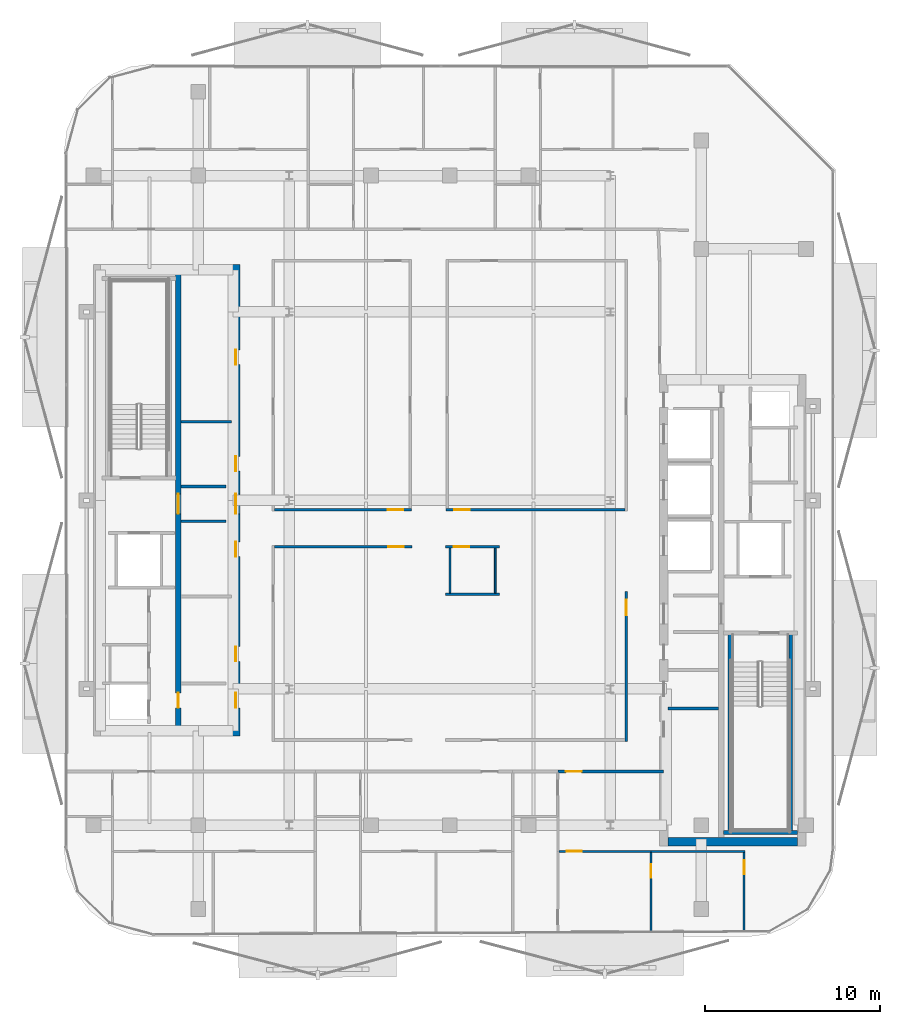
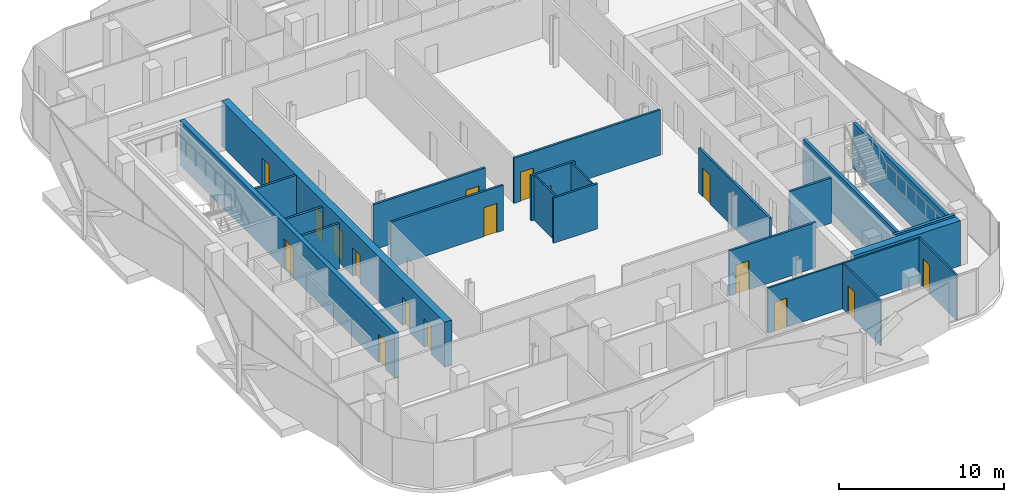
# One storey, part 4 of 16: 23 walls, 17 doors, 17 openings.
"""IFC4 building model written with IfcOpenShell, lengths in metres."""

from ifc_helpers import new_model, si_unit, direction, frame, frame_2d, origin, place, context, subcontext, project, spatial, rectangle, extrude, material, layer, layer_set, type_object, element, fill, save


model = new_model("IFC4")

# Units and contexts
model_context = context("Model", 3, precision=1e-05, world=origin(), true_north=direction((0.0, 1.0)))
body_context = subcontext(model_context, "Body", "Model", "MODEL_VIEW")
ifc_project = project(units=[si_unit("LENGTHUNIT", "METRE"), si_unit("AREAUNIT", "SQUARE_METRE"), si_unit("VOLUMEUNIT", "CUBIC_METRE"), si_unit("PLANEANGLEUNIT", "RADIAN"), si_unit("MASSUNIT", "GRAM", prefix="KILO")], contexts=[model_context])

# Site, building, storey
site_placement = place(None, origin())
site = spatial("IfcSite", under=ifc_project, at=site_placement, CompositionType="ELEMENT")
building_placement = place(site_placement, origin())
building = spatial("IfcBuilding", under=site, at=building_placement, Name="Khairoan Windgate Tower", CompositionType="ELEMENT")
storey_placement = place(building_placement, frame((0.0, 0.0, 247.60009765625)))
storey = spatial("IfcBuildingStorey", under=building, at=storey_placement, Name="L58", CompositionType="ELEMENT", Elevation=247.60009765625)

# Walls
ifc_material_1 = material(Name="Moisture-Resistant Gypsum Partition", Category="gypsum")
ifc_layer_1 = layer(ifc_material_1, 0.10009765625, Name="Moisture-Resistant Gypsum Partition")
ifc_layer_set_1 = layer_set([ifc_layer_1], Name="Moisture-Resistant Gypsum Partition")
wall_type_1 = type_object("IfcWallType", Name="Bathroom Wet-Area Partition Wall", PredefinedType="PARTITIONING", material=ifc_layer_set_1)
for number, where, z_axis, x_axis, name in (
    (1, (2.60009765625, -2.739990234375, 0.0), (0.0, 0.0, 1.0), (0.0, -1.0, 0.0), "L58 Wet Room Side Wall 102"),
    (2, (0.010009765625, -5.31005859375, 0.0), (0.0, 0.0, 1.0), (0.0, 1.0, 0.0), "L58 Wet Room Side Wall 103"),
):
    element("IfcWall", number, at=place(storey_placement, frame(where, z_axis=z_axis, x_axis=x_axis)), inside=storey, type_object=wall_type_1, Name=name, PredefinedType="PARTITIONING", context=body_context, shape_type="SweptSolid", body=[
        extrude(rectangle(XDim=2.570068359375, YDim=0.10009765625, at=frame_2d((1.28515625, 0.0))), origin(), (0.0, 0.0, 1.0), 3.33984375),
    ])
ifc_material_2 = material(Name="Concrete C40/50", Category="concrete")
ifc_layer_2 = layer(ifc_material_2, 0.159912109375, Name="Concrete C40/50")
ifc_layer_set_2 = layer_set([ifc_layer_2], Name="Concrete C40/50")
wall_type_2 = type_object("IfcWallType", Name="Core and Hoistway Enclosure Wall", PredefinedType="STANDARD", material=ifc_layer_set_2)
for number, where, z_axis, x_axis, name in (
    (3, (-15.39990234375, 0.800048828125, 0.0), (0.0, 0.0, 1.0), (1.0, 0.0, 0.0), "L58 Core Shaft Wall SW-WV1-L58"),
    (4, (-15.39990234375, -1.199951171875, 0.0), (0.0, 0.0, 1.0), (1.0, 0.0, 0.0), "L58 Core Shaft Wall SW-WV2-L58"),
):
    element("IfcWall", number, at=place(storey_placement, frame(where, z_axis=z_axis, x_axis=x_axis)), inside=storey, type_object=wall_type_2, Name=name, PredefinedType="STANDARD", context=body_context, shape_type="SweptSolid", body=[
        extrude(rectangle(XDim=2.599853515625, YDim=0.159912109375, at=frame_2d((1.2998046875, 0.0))), origin(), (0.0, 0.0, 1.0), 3.33984375),
    ])
ifc_material_3 = material(Name="Acoustic Fire-Rated Gypsum Partition", Category="gypsum")
ifc_layer_3 = layer(ifc_material_3, 0.139892578125, Name="Acoustic Fire-Rated Gypsum Partition")
ifc_layer_set_3 = layer_set([ifc_layer_3], Name="Acoustic Fire-Rated Gypsum Partition")
wall_type_3 = type_object("IfcWallType", Name="Inter-Tenancy Compartment Wall", PredefinedType="PARTITIONING", material=ifc_layer_set_3)
wall_1_placement = place(storey_placement, frame((-0.22998046875, -5.3798828125, 0.0), z_axis=(0.0, 0.0, 1.0), x_axis=(1.0, 0.0, 0.0)))
element("IfcWall", 5, at=wall_1_placement, inside=storey, type_object=wall_type_3, Name="L58 Interior Partition 099", PredefinedType="PARTITIONING", context=body_context, shape_type="SweptSolid", body=[
    extrude(rectangle(XDim=3.070068359375, YDim=0.139892578125, at=frame_2d((1.53515625, 0.0))), origin(), (0.0, 0.0, 1.0), 3.33984375),
])

# Wall, opening, door
ifc_material_4 = material(Name="Gypsum Stud Partition", Category="gypsum")
ifc_layer_4 = layer(ifc_material_4, 0.1201171875, Name="Gypsum Stud Partition")
ifc_layer_set_4 = layer_set([ifc_layer_4], Name="Gypsum Stud Partition")
wall_type_4 = type_object("IfcWallType", Name="Internal Room Partition Wall", PredefinedType="PARTITIONING", material=ifc_layer_set_4)
wall_2_placement = place(storey_placement, frame((6.25, -20.10009765625, 0.0), z_axis=(0.0, 0.0, 1.0), x_axis=(1.0, 0.0, 0.0)))
wall_2 = element("IfcWall", 6, at=wall_2_placement, inside=storey, type_object=wall_type_4, Name="L58 Interior Partition 095", PredefinedType="PARTITIONING", context=body_context, shape_type="SweptSolid", body=[
    extrude(rectangle(XDim=5.27490234375, YDim=0.1201171875, at=frame_2d((2.637451171875, 0.0))), origin(), (0.0, 0.0, 1.0), 3.33984375),
])
opening_1_placement = place(wall_2_placement, frame((0.4599609375, 0.0, 0.0)))
opening_1 = element("IfcOpeningElement", 7, at=opening_1_placement, cuts=wall_2, Name="Opening ID-RM", PredefinedType="OPENING", context=body_context, shape_type="SweptSolid", body=[
    extrude(rectangle(XDim=0.860107421875, YDim=2.14990234375, at=frame_2d((0.43017578125, 1.074951171875))), frame((0.0, 0.070068359375, 0.0), z_axis=(0.0, -1.0, 0.0), x_axis=(1.0, 0.0, 0.0)), (0.0, 0.0, 1.0), 0.14013671875),
])
ifc_material_5 = material(Name="Teak Veneer Timber Leaf", Category="wood")
door_type_1 = type_object("IfcDoorType", Name="Internal Bedroom and Office Door ID-RM 860x2150", OperationType="NOTDEFINED", PredefinedType="DOOR", material=ifc_material_5)
door_1_placement = place(opening_1_placement, origin())
door_1 = element("IfcDoor", 8, at=door_1_placement, inside=storey, type_object=door_type_1, Name="L58 L58-62-L58-64 Door", OperationType="SINGLE_SWING_RIGHT", OverallHeight=2.14990234375, OverallWidth=0.860107421875, PredefinedType="DOOR", context=body_context, shape_type="SweptSolid", body=[
    extrude(rectangle(XDim=0.860107421875, YDim=2.14990234375, at=frame_2d((0.43017578125, 1.074951171875))), frame((0.0, 0.02490234375, 0.0), z_axis=(0.0, -1.0, 0.0), x_axis=(1.0, 0.0, 0.0)), (0.0, 0.0, 1.0), 0.050048828125),
])
fill(opening_1, door_1)

# Wall
wall_3_placement = place(storey_placement, frame((11.52490234375, -20.10009765625, 0.0), z_axis=(0.0, 0.0, 1.0), x_axis=(1.0, 0.0, 0.0)))
element("IfcWall", 9, at=wall_3_placement, inside=storey, type_object=wall_type_4, Name="L58 Interior Partition 096", PredefinedType="PARTITIONING", context=body_context, shape_type="SweptSolid", body=[
    extrude(rectangle(XDim=5.39501953125, YDim=0.1201171875, at=frame_2d((2.697509765625, 0.0))), origin(), (0.0, 0.0, 1.0), 3.33984375),
])

# Wall, opening, door
wall_4_placement = place(storey_placement, frame((16.860107421875, -24.691650390625, 0.0), z_axis=(0.0, 0.0, 1.0), x_axis=(0.0, 1.0, 0.0)))
wall_4 = element("IfcWall", 10, at=wall_4_placement, inside=storey, type_object=wall_type_4, Name="L58 Interior Partition 097", PredefinedType="PARTITIONING", context=body_context, shape_type="SweptSolid", body=[
    extrude(rectangle(XDim=4.53173828125, YDim=0.1201171875, at=frame_2d((2.265869140625, 0.0))), origin(), (0.0, 0.0, 1.0), 3.33984375),
])
opening_2_placement = place(wall_4_placement, frame((3.271728515625, 0.0, 0.0)))
opening_2 = element("IfcOpeningElement", 11, at=opening_2_placement, cuts=wall_4, Name="Opening ID-BTH", PredefinedType="OPENING", context=body_context, shape_type="SweptSolid", body=[
    extrude(rectangle(XDim=0.800048828125, YDim=2.10009765625, at=frame_2d((0.39990234375, 1.050048828125))), frame((0.0, 0.070068359375, 0.0), z_axis=(0.0, -1.0, 0.0), x_axis=(1.0, 0.0, 0.0)), (0.0, 0.0, 1.0), 0.14013671875),
])
ifc_material_6 = material(Name="Teak Veneer Timber Leaf", Category="wood")
door_type_2 = type_object("IfcDoorType", Name="Internal Bathroom Door ID-BTH 800x2100", OperationType="NOTDEFINED", PredefinedType="DOOR", material=ifc_material_6)
door_2_placement = place(opening_2_placement, origin())
door_2 = element("IfcDoor", 12, at=door_2_placement, inside=storey, type_object=door_type_2, Name="L58 L58-63-L58-65 Door", OperationType="SINGLE_SWING_LEFT", OverallHeight=2.10009765625, OverallWidth=0.800048828125, PredefinedType="DOOR", context=body_context, shape_type="SweptSolid", body=[
    extrude(rectangle(XDim=0.800048828125, YDim=2.10009765625, at=frame_2d((0.39990234375, 1.050048828125))), frame((0.0, 0.02490234375, 0.0), z_axis=(0.0, -1.0, 0.0), x_axis=(1.0, 0.0, 0.0)), (0.0, 0.0, 1.0), 0.050048828125),
])
fill(opening_2, door_2)

wall_5_placement = place(storey_placement, frame((11.52490234375, -24.71728515625, 0.0), z_axis=(0.0, 0.0, 1.0), x_axis=(0.0, 1.0, 0.0)))
wall_5 = element("IfcWall", 13, at=wall_5_placement, inside=storey, type_object=wall_type_4, Name="L58 Interior Partition 098", PredefinedType="PARTITIONING", context=body_context, shape_type="SweptSolid", body=[
    extrude(rectangle(XDim=4.557373046875, YDim=0.1201171875, at=frame_2d((2.27880859375, 0.0))), origin(), (0.0, 0.0, 1.0), 3.33984375),
])
opening_3_placement = place(wall_5_placement, frame((3.0947265625, 0.0, 0.0)))
opening_3 = element("IfcOpeningElement", 14, at=opening_3_placement, cuts=wall_5, Name="Opening ID-BTH", PredefinedType="OPENING", context=body_context, shape_type="SweptSolid", body=[
    extrude(rectangle(XDim=0.800048828125, YDim=2.10009765625, at=frame_2d((0.39990234375, 1.050048828125))), frame((0.0, 0.070068359375, 0.0), z_axis=(0.0, -1.0, 0.0), x_axis=(1.0, 0.0, 0.0)), (0.0, 0.0, 1.0), 0.14013671875),
])
door_3_placement = place(opening_3_placement, origin())
door_3 = element("IfcDoor", 15, at=door_3_placement, inside=storey, type_object=door_type_2, Name="L58 L58-64-L58-65 Door", OperationType="SINGLE_SWING_RIGHT", OverallHeight=2.10009765625, OverallWidth=0.800048828125, PredefinedType="DOOR", context=body_context, shape_type="SweptSolid", body=[
    extrude(rectangle(XDim=0.800048828125, YDim=2.10009765625, at=frame_2d((0.39990234375, 1.050048828125))), frame((0.0, 0.02490234375, 0.0), z_axis=(0.0, -1.0, 0.0), x_axis=(1.0, 0.0, 0.0)), (0.0, 0.0, 1.0), 0.050048828125),
])
fill(opening_3, door_3)

# Walls
ifc_material_7 = material(Name="Concrete C40/50", Category="concrete")
ifc_layer_5 = layer(ifc_material_7, 0.159912109375, Name="Concrete C40/50")
ifc_layer_set_5 = layer_set([ifc_layer_5], Name="Concrete C40/50")
wall_type_5 = type_object("IfcWallType", Name="Plant and Refuge Compartment Wall", PredefinedType="PARTITIONING", material=ifc_layer_set_5)
for number, where, z_axis, x_axis, name in (
    (16, (-15.39990234375, 4.5, 0.0), (0.0, 0.0, 1.0), (1.0, 0.0, 0.0), "L58 Interior Partition 006"),
    (17, (12.5, -11.919921875, 0.0), (0.0, 0.0, 1.0), (1.0, 0.0, 0.0), "L58 Interior Partition 013"),
):
    element("IfcWall", number, at=place(storey_placement, frame(where, z_axis=z_axis, x_axis=x_axis)), inside=storey, type_object=wall_type_5, Name=name, PredefinedType="PARTITIONING", context=body_context, shape_type="SweptSolid", body=[
        extrude(rectangle(XDim=2.89990234375, YDim=0.159912109375, at=frame_2d((1.449951171875, 0.0))), origin(), (0.0, 0.0, 1.0), 3.33984375),
    ])

# Wall, opening, door
ifc_material_8 = material(Name="Acoustic Fire-Rated Gypsum Partition", Category="gypsum")
ifc_layer_6 = layer(ifc_material_8, 0.14990234375, Name="Acoustic Fire-Rated Gypsum Partition")
ifc_layer_set_6 = layer_set([ifc_layer_6], Name="Acoustic Fire-Rated Gypsum Partition")
wall_type_6 = type_object("IfcWallType", Name="Rated Corridor Partition Wall", PredefinedType="PARTITIONING", material=ifc_layer_set_6)
wall_6_placement = place(storey_placement, frame((10.10009765625, -13.794921875, 0.0), z_axis=(0.0, 0.0, 1.0), x_axis=(0.0, 1.0, 0.0)))
wall_6 = element("IfcWall", 18, at=wall_6_placement, inside=storey, type_object=wall_type_6, Name="L58 Interior Partition 019", PredefinedType="PARTITIONING", context=body_context, shape_type="SweptSolid", body=[
    extrude(rectangle(XDim=8.574951171875, YDim=0.14990234375, at=frame_2d((4.28759765625, 0.0))), origin(), (0.0, 0.0, 1.0), 3.33984375),
])
opening_4_placement = place(wall_6_placement, frame((7.215087890625, 0.0, 0.0)))
opening_4 = element("IfcOpeningElement", 19, at=opening_4_placement, cuts=wall_6, Name="Opening FD-ENT", PredefinedType="OPENING", context=body_context, shape_type="SweptSolid", body=[
    extrude(rectangle(XDim=0.89990234375, YDim=2.14990234375, at=frame_2d((0.449951171875, 1.074951171875))), frame((0.0, 0.0849609375, 0.0), z_axis=(0.0, -1.0, 0.0), x_axis=(1.0, 0.0, 0.0)), (0.0, 0.0, 1.0), 0.169921875),
])
ifc_material_9 = material(Name="Timber Fire-Rated Core", Category="wood")
door_type_3 = type_object("IfcDoorType", Name="Unit and Office Fire Entrance Door FD-ENT 900x2150", OperationType="NOTDEFINED", PredefinedType="DOOR", material=ifc_material_9)
door_4_placement = place(opening_4_placement, origin())
door_4 = element("IfcDoor", 20, at=door_4_placement, inside=storey, type_object=door_type_3, Name="L58 L58-30-L58-71 Door", OperationType="SINGLE_SWING_RIGHT", OverallHeight=2.14990234375, OverallWidth=0.89990234375, PredefinedType="DOOR", context=body_context, shape_type="SweptSolid", body=[
    extrude(rectangle(XDim=0.89990234375, YDim=2.14990234375, at=frame_2d((0.449951171875, 1.074951171875))), frame((0.0, 0.02490234375, 0.0), z_axis=(0.0, -1.0, 0.0), x_axis=(1.0, 0.0, 0.0)), (0.0, 0.0, 1.0), 0.050048828125),
])
fill(opening_4, door_4)

wall_7_placement = place(storey_placement, frame((-10.02490234375, -0.534912109375, 0.0), z_axis=(0.0, 0.0, 1.0), x_axis=(1.0, 0.0, 0.0)))
wall_7 = element("IfcWall", 21, at=wall_7_placement, inside=storey, type_object=wall_type_6, Name="L58 Interior Partition 020", PredefinedType="PARTITIONING", context=body_context, shape_type="SweptSolid", body=[
    extrude(rectangle(XDim=7.8349609375, YDim=0.14990234375, at=frame_2d((3.91748046875, 0.0))), origin(), (0.0, 0.0, 1.0), 3.33984375),
])
opening_5_placement = place(wall_7_placement, frame((6.47509765625, 0.0, 0.0)))
opening_5 = element("IfcOpeningElement", 22, at=opening_5_placement, cuts=wall_7, Name="Opening FD-ENT", PredefinedType="OPENING", context=body_context, shape_type="SweptSolid", body=[
    extrude(rectangle(XDim=0.89990234375, YDim=2.14990234375, at=frame_2d((0.449951171875, 1.074951171875))), frame((0.0, 0.0849609375, 0.0), z_axis=(0.0, -1.0, 0.0), x_axis=(1.0, 0.0, 0.0)), (0.0, 0.0, 1.0), 0.169921875),
])
door_5_placement = place(opening_5_placement, origin())
door_5 = element("IfcDoor", 23, at=door_5_placement, inside=storey, type_object=door_type_3, Name="L58 L58-31-L58-67 Door", OperationType="SINGLE_SWING_LEFT", OverallHeight=2.14990234375, OverallWidth=0.89990234375, PredefinedType="DOOR", context=body_context, shape_type="SweptSolid", body=[
    extrude(rectangle(XDim=0.89990234375, YDim=2.14990234375, at=frame_2d((0.449951171875, 1.074951171875))), frame((0.0, 0.02490234375, 0.0), z_axis=(0.0, -1.0, 0.0), x_axis=(1.0, 0.0, 0.0)), (0.0, 0.0, 1.0), 0.050048828125),
])
fill(opening_5, door_5)

wall_8_placement = place(storey_placement, frame((-10.02490234375, -2.6650390625, 0.0), z_axis=(0.0, 0.0, 1.0), x_axis=(1.0, 0.0, 0.0)))
wall_8 = element("IfcWall", 24, at=wall_8_placement, inside=storey, type_object=wall_type_6, Name="L58 Interior Partition 021", PredefinedType="PARTITIONING", context=body_context, shape_type="SweptSolid", body=[
    extrude(rectangle(XDim=7.85498046875, YDim=0.14990234375, at=frame_2d((3.927490234375, 0.0))), origin(), (0.0, 0.0, 1.0), 3.33984375),
])
opening_6_placement = place(wall_8_placement, frame((6.4951171875, 0.0, 0.0)))
opening_6 = element("IfcOpeningElement", 25, at=opening_6_placement, cuts=wall_8, Name="Opening FD-ENT", PredefinedType="OPENING", context=body_context, shape_type="SweptSolid", body=[
    extrude(rectangle(XDim=0.89990234375, YDim=2.14990234375, at=frame_2d((0.449951171875, 1.074951171875))), frame((0.0, 0.0849609375, 0.0), z_axis=(0.0, -1.0, 0.0), x_axis=(1.0, 0.0, 0.0)), (0.0, 0.0, 1.0), 0.169921875),
])
door_6_placement = place(opening_6_placement, origin())
door_6 = element("IfcDoor", 26, at=door_6_placement, inside=storey, type_object=door_type_3, Name="L58 L58-31-L58-68 Door", OperationType="SINGLE_SWING_RIGHT", OverallHeight=2.14990234375, OverallWidth=0.89990234375, PredefinedType="DOOR", context=body_context, shape_type="SweptSolid", body=[
    extrude(rectangle(XDim=0.89990234375, YDim=2.14990234375, at=frame_2d((0.449951171875, 1.074951171875))), frame((0.0, 0.02490234375, 0.0), z_axis=(0.0, -1.0, 0.0), x_axis=(1.0, 0.0, 0.0)), (0.0, 0.0, 1.0), 0.050048828125),
])
fill(opening_6, door_6)

wall_9_placement = place(storey_placement, frame((-0.2099609375, -0.534912109375, 0.0), z_axis=(0.0, 0.0, 1.0), x_axis=(1.0, 0.0, 0.0)))
wall_9 = element("IfcWall", 27, at=wall_9_placement, inside=storey, type_object=wall_type_6, Name="L58 Interior Partition 022", PredefinedType="PARTITIONING", context=body_context, shape_type="SweptSolid", body=[
    extrude(rectangle(XDim=10.23486328125, YDim=0.14990234375, at=frame_2d((5.117431640625, 0.0))), origin(), (0.0, 0.0, 1.0), 3.33984375),
])
opening_7_placement = place(wall_9_placement, frame((0.4599609375, 0.0, 0.0)))
opening_7 = element("IfcOpeningElement", 28, at=opening_7_placement, cuts=wall_9, Name="Opening FD-ENT", PredefinedType="OPENING", context=body_context, shape_type="SweptSolid", body=[
    extrude(rectangle(XDim=0.89990234375, YDim=2.14990234375, at=frame_2d((0.449951171875, 1.074951171875))), frame((0.0, 0.0849609375, 0.0), z_axis=(0.0, -1.0, 0.0), x_axis=(1.0, 0.0, 0.0)), (0.0, 0.0, 1.0), 0.169921875),
])
door_7_placement = place(opening_7_placement, origin())
door_7 = element("IfcDoor", 29, at=door_7_placement, inside=storey, type_object=door_type_3, Name="L58 L58-31-L58-69 Door", OperationType="SINGLE_SWING_LEFT", OverallHeight=2.14990234375, OverallWidth=0.89990234375, PredefinedType="DOOR", context=body_context, shape_type="SweptSolid", body=[
    extrude(rectangle(XDim=0.89990234375, YDim=2.14990234375, at=frame_2d((0.449951171875, 1.074951171875))), frame((0.0, 0.02490234375, 0.0), z_axis=(0.0, -1.0, 0.0), x_axis=(1.0, 0.0, 0.0)), (0.0, 0.0, 1.0), 0.050048828125),
])
fill(opening_7, door_7)

wall_10_placement = place(storey_placement, frame((-0.22998046875, -2.6650390625, 0.0), z_axis=(0.0, 0.0, 1.0), x_axis=(1.0, 0.0, 0.0)))
wall_10 = element("IfcWall", 30, at=wall_10_placement, inside=storey, type_object=wall_type_6, Name="L58 Interior Partition 023", PredefinedType="PARTITIONING", context=body_context, shape_type="SweptSolid", body=[
    extrude(rectangle(XDim=3.070068359375, YDim=0.14990234375, at=frame_2d((1.53515625, 0.0))), origin(), (0.0, 0.0, 1.0), 3.33984375),
])
opening_8_placement = place(wall_10_placement, frame((0.4599609375, 0.0, 0.0)))
opening_8 = element("IfcOpeningElement", 31, at=opening_8_placement, cuts=wall_10, Name="Opening FD-ENT", PredefinedType="OPENING", context=body_context, shape_type="SweptSolid", body=[
    extrude(rectangle(XDim=0.89990234375, YDim=2.14990234375, at=frame_2d((0.449951171875, 1.074951171875))), frame((0.0, 0.0849609375, 0.0), z_axis=(0.0, -1.0, 0.0), x_axis=(1.0, 0.0, 0.0)), (0.0, 0.0, 1.0), 0.169921875),
])
door_8_placement = place(opening_8_placement, origin())
door_8 = element("IfcDoor", 32, at=door_8_placement, inside=storey, type_object=door_type_3, Name="L58 L58-31-L58-70 Door", OperationType="SINGLE_SWING_RIGHT", OverallHeight=2.14990234375, OverallWidth=0.89990234375, PredefinedType="DOOR", context=body_context, shape_type="SweptSolid", body=[
    extrude(rectangle(XDim=0.89990234375, YDim=2.14990234375, at=frame_2d((0.449951171875, 1.074951171875))), frame((0.0, 0.02490234375, 0.0), z_axis=(0.0, -1.0, 0.0), x_axis=(1.0, 0.0, 0.0)), (0.0, 0.0, 1.0), 0.050048828125),
])
fill(opening_8, door_8)

wall_11_placement = place(storey_placement, frame((6.18994140625, -15.52490234375, 0.0), z_axis=(0.0, 0.0, 1.0), x_axis=(1.0, 0.0, 0.0)))
wall_11 = element("IfcWall", 33, at=wall_11_placement, inside=storey, type_object=wall_type_6, Name="L58 Interior Partition 040", PredefinedType="PARTITIONING", context=body_context, shape_type="SweptSolid", body=[
    extrude(rectangle(XDim=6.050048828125, YDim=0.14990234375, at=frame_2d((3.02490234375, 0.0))), origin(), (0.0, 0.0, 1.0), 3.33984375),
])
opening_9_placement = place(wall_11_placement, frame((0.4599609375, 0.0, 0.0)))
opening_9 = element("IfcOpeningElement", 34, at=opening_9_placement, cuts=wall_11, Name="Opening FD-ENT", PredefinedType="OPENING", context=body_context, shape_type="SweptSolid", body=[
    extrude(rectangle(XDim=0.89990234375, YDim=2.14990234375, at=frame_2d((0.449951171875, 1.074951171875))), frame((0.0, 0.0849609375, 0.0), z_axis=(0.0, -1.0, 0.0), x_axis=(1.0, 0.0, 0.0)), (0.0, 0.0, 1.0), 0.169921875),
])
door_9_placement = place(opening_9_placement, origin())
door_9 = element("IfcDoor", 35, at=door_9_placement, inside=storey, type_object=door_type_3, Name="L58 L58-34-L58-62 Door", OperationType="SINGLE_SWING_LEFT", OverallHeight=2.14990234375, OverallWidth=0.89990234375, PredefinedType="DOOR", context=body_context, shape_type="SweptSolid", body=[
    extrude(rectangle(XDim=0.89990234375, YDim=2.14990234375, at=frame_2d((0.449951171875, 1.074951171875))), frame((0.0, 0.02490234375, 0.0), z_axis=(0.0, -1.0, 0.0), x_axis=(1.0, 0.0, 0.0)), (0.0, 0.0, 1.0), 0.050048828125),
])
fill(opening_9, door_9)

# Wall
ifc_material_10 = material(Name="Concrete C50/60", Category="concrete")
ifc_layer_7 = layer(ifc_material_10, 0.5, Name="Concrete C50/60")
ifc_layer_set_7 = layer_set([ifc_layer_7], Name="Concrete C50/60")
wall_type_7 = type_object("IfcWallType", Name="Shear Wall CW-E3 500mm", PredefinedType="SHEAR", material=ifc_layer_set_7)
wall_12_placement = place(storey_placement, frame((12.5, -19.550048828125, 0.0), z_axis=(0.0, 0.0, 1.0), x_axis=(1.0, 0.0, 0.0)))
element("IfcWall", 36, at=wall_12_placement, inside=storey, type_object=wall_type_7, Name="E Core South Shear Wall L58", PredefinedType="SHEAR", context=body_context, shape_type="SweptSolid", body=[
    extrude(rectangle(XDim=7.39990234375, YDim=0.5, at=frame_2d((3.699951171875, 0.0))), origin(), (0.0, 0.0, 1.0), 3.33984375),
])

# Wall, openings, doors
ifc_material_11 = material(Name="Concrete C50/60", Category="concrete")
ifc_layer_8 = layer(ifc_material_11, 0.5, Name="Concrete C50/60")
ifc_layer_set_8 = layer_set([ifc_layer_8], Name="Concrete C50/60")
wall_type_8 = type_object("IfcWallType", Name="Shear Wall CW-W3 500mm", PredefinedType="SHEAR", material=ifc_layer_set_8)
wall_13_placement = place(storey_placement, frame((-12.25, -13.5, 0.0), z_axis=(0.0, 0.0, 1.0), x_axis=(0.0, 1.0, 0.0)))
wall_13 = element("IfcWall", 37, at=wall_13_placement, inside=storey, type_object=wall_type_8, Name="W Core East Shear Wall L58", PredefinedType="SHEAR", context=body_context, shape_type="SweptSolid", body=[
    extrude(rectangle(XDim=27.0, YDim=0.5, at=frame_2d((13.5, 0.0))), origin(), (0.0, 0.0, 1.0), 3.33984375),
])
opening_10_placement = place(wall_13_placement, frame((15.175048828125, 0.0, 0.0)))
opening_10 = element("IfcOpeningElement", 38, at=opening_10_placement, cuts=wall_13, Name="Opening FD-SRV", PredefinedType="OPENING", context=body_context, shape_type="SweptSolid", body=[
    extrude(rectangle(XDim=0.85009765625, YDim=2.10009765625, at=frame_2d((0.425048828125, 1.050048828125))), frame((0.0, 0.260009765625, 0.0), z_axis=(0.0, -1.0, 0.0), x_axis=(1.0, 0.0, 0.0)), (0.0, 0.0, 1.0), 0.52001953125),
])
opening_11_placement = place(wall_13_placement, frame((21.27490234375, 0.0, 0.0)))
opening_11 = element("IfcOpeningElement", 39, at=opening_11_placement, cuts=wall_13, Name="Opening FD-SRV", PredefinedType="OPENING", context=body_context, shape_type="SweptSolid", body=[
    extrude(rectangle(XDim=0.85009765625, YDim=2.10009765625, at=frame_2d((0.425048828125, 1.050048828125))), frame((0.0, 0.260009765625, 0.0), z_axis=(0.0, -1.0, 0.0), x_axis=(1.0, 0.0, 0.0)), (0.0, 0.0, 1.0), 0.52001953125),
])
opening_12_placement = place(wall_13_placement, frame((4.27490234375, 0.0, 0.0)))
opening_12 = element("IfcOpeningElement", 40, at=opening_12_placement, cuts=wall_13, Name="Opening FD-SRV", PredefinedType="OPENING", context=body_context, shape_type="SweptSolid", body=[
    extrude(rectangle(XDim=0.85009765625, YDim=2.10009765625, at=frame_2d((0.425048828125, 1.050048828125))), frame((0.0, 0.260009765625, 0.0), z_axis=(0.0, -1.0, 0.0), x_axis=(1.0, 0.0, 0.0)), (0.0, 0.0, 1.0), 0.52001953125),
])
opening_13_placement = place(wall_13_placement, frame((10.27490234375, 0.0, 0.0)))
opening_13 = element("IfcOpeningElement", 41, at=opening_13_placement, cuts=wall_13, Name="Opening FD-SRV", PredefinedType="OPENING", context=body_context, shape_type="SweptSolid", body=[
    extrude(rectangle(XDim=0.85009765625, YDim=2.10009765625, at=frame_2d((0.425048828125, 1.050048828125))), frame((0.0, 0.260009765625, 0.0), z_axis=(0.0, -1.0, 0.0), x_axis=(1.0, 0.0, 0.0)), (0.0, 0.0, 1.0), 0.52001953125),
])
opening_14_placement = place(wall_13_placement, frame((12.72509765625, 0.0, 0.0)))
opening_14 = element("IfcOpeningElement", 42, at=opening_14_placement, cuts=wall_13, Name="Opening FD-FFL", PredefinedType="OPENING", context=body_context, shape_type="SweptSolid", body=[
    extrude(rectangle(XDim=1.14990234375, YDim=2.199951171875, at=frame_2d((0.574951171875, 1.10009765625))), frame((0.0, 0.260009765625, 0.0), z_axis=(0.0, -1.0, 0.0), x_axis=(1.0, 0.0, 0.0)), (0.0, 0.0, 1.0), 0.52001953125),
])
opening_15_placement = place(wall_13_placement, frame((1.625, 0.0, 0.0)))
opening_15 = element("IfcOpeningElement", 43, at=opening_15_placement, cuts=wall_13, Name="Opening FD-SRV", PredefinedType="OPENING", context=body_context, shape_type="SweptSolid", body=[
    extrude(rectangle(XDim=0.85009765625, YDim=2.10009765625, at=frame_2d((0.425048828125, 1.050048828125))), frame((0.0, 0.260009765625, 0.0), z_axis=(0.0, -1.0, 0.0), x_axis=(1.0, 0.0, 0.0)), (0.0, 0.0, 1.0), 0.52001953125),
])
ifc_material_12 = material(Name="Steel S355", Category="steel")
door_type_4 = type_object("IfcDoorType", Name="Core Service and Riser Fire Door FD-SRV 850x2100", OperationType="NOTDEFINED", PredefinedType="DOOR", material=ifc_material_12)
door_10_placement = place(opening_10_placement, origin())
door_10 = element("IfcDoor", 44, at=door_10_placement, inside=storey, type_object=door_type_4, Name="L58 Upper Core Room Door B1-1", OperationType="SINGLE_SWING_LEFT", OverallHeight=2.10009765625, OverallWidth=0.85009765625, PredefinedType="DOOR", context=body_context, shape_type="SweptSolid", body=[
    extrude(rectangle(XDim=0.85009765625, YDim=2.10009765625, at=frame_2d((0.425048828125, 1.050048828125))), frame((0.0, 0.02490234375, 0.0), z_axis=(0.0, -1.0, 0.0), x_axis=(1.0, 0.0, 0.0)), (0.0, 0.0, 1.0), 0.050048828125),
])
fill(opening_10, door_10)
door_11_placement = place(opening_11_placement, origin())
door_11 = element("IfcDoor", 45, at=door_11_placement, inside=storey, type_object=door_type_4, Name="L58 Upper Core Room Door B1-2", OperationType="SINGLE_SWING_RIGHT", OverallHeight=2.10009765625, OverallWidth=0.85009765625, PredefinedType="DOOR", context=body_context, shape_type="SweptSolid", body=[
    extrude(rectangle(XDim=0.85009765625, YDim=2.10009765625, at=frame_2d((0.425048828125, 1.050048828125))), frame((0.0, 0.02490234375, 0.0), z_axis=(0.0, -1.0, 0.0), x_axis=(1.0, 0.0, 0.0)), (0.0, 0.0, 1.0), 0.050048828125),
])
fill(opening_11, door_11)
door_12_placement = place(opening_12_placement, origin())
door_12 = element("IfcDoor", 46, at=door_12_placement, inside=storey, type_object=door_type_4, Name="L58 Upper Core Room Door B2-1", OperationType="SINGLE_SWING_LEFT", OverallHeight=2.10009765625, OverallWidth=0.85009765625, PredefinedType="DOOR", context=body_context, shape_type="SweptSolid", body=[
    extrude(rectangle(XDim=0.85009765625, YDim=2.10009765625, at=frame_2d((0.425048828125, 1.050048828125))), frame((0.0, 0.02490234375, 0.0), z_axis=(0.0, -1.0, 0.0), x_axis=(1.0, 0.0, 0.0)), (0.0, 0.0, 1.0), 0.050048828125),
])
fill(opening_12, door_12)
door_13_placement = place(opening_13_placement, origin())
door_13 = element("IfcDoor", 47, at=door_13_placement, inside=storey, type_object=door_type_4, Name="L58 Upper Core Room Door B2-2", OperationType="SINGLE_SWING_RIGHT", OverallHeight=2.10009765625, OverallWidth=0.85009765625, PredefinedType="DOOR", context=body_context, shape_type="SweptSolid", body=[
    extrude(rectangle(XDim=0.85009765625, YDim=2.10009765625, at=frame_2d((0.425048828125, 1.050048828125))), frame((0.0, 0.02490234375, 0.0), z_axis=(0.0, -1.0, 0.0), x_axis=(1.0, 0.0, 0.0)), (0.0, 0.0, 1.0), 0.050048828125),
])
fill(opening_13, door_13)
door_14_placement = place(opening_15_placement, origin())
door_14 = element("IfcDoor", 48, at=door_14_placement, inside=storey, type_object=door_type_4, Name="L58 West Core Service Vestibule Outer Door", OperationType="SINGLE_SWING_RIGHT", OverallHeight=2.10009765625, OverallWidth=0.85009765625, PredefinedType="DOOR", context=body_context, shape_type="SweptSolid", body=[
    extrude(rectangle(XDim=0.85009765625, YDim=2.10009765625, at=frame_2d((0.425048828125, 1.050048828125))), frame((0.0, 0.02490234375, 0.0), z_axis=(0.0, -1.0, 0.0), x_axis=(1.0, 0.0, 0.0)), (0.0, 0.0, 1.0), 0.050048828125),
])
fill(opening_15, door_14)
ifc_material_13 = material(Name="Steel S355", Category="steel")
door_type_5 = type_object("IfcDoorType", Name="Firefighting Lobby Fire Door FD-FFL 1150x2200", OperationType="NOTDEFINED", PredefinedType="DOOR", material=ifc_material_13)
door_15_placement = place(opening_14_placement, origin())
door_15 = element("IfcDoor", 49, at=door_15_placement, inside=storey, type_object=door_type_5, Name="L58 West Core Vestibule Entry Door", OperationType="SINGLE_SWING_RIGHT", OverallHeight=2.199951171875, OverallWidth=1.14990234375, PredefinedType="DOOR", context=body_context, shape_type="SweptSolid", body=[
    extrude(rectangle(XDim=1.14990234375, YDim=2.199951171875, at=frame_2d((0.574951171875, 1.10009765625))), frame((0.0, 0.02490234375, 0.0), z_axis=(0.0, -1.0, 0.0), x_axis=(1.0, 0.0, 0.0)), (0.0, 0.0, 1.0), 0.050048828125),
])
fill(opening_14, door_15)

ifc_material_14 = material(Name="Concrete C50/60", Category="concrete")
ifc_layer_9 = layer(ifc_material_14, 0.300048828125, Name="Concrete C50/60")
ifc_layer_set_9 = layer_set([ifc_layer_9], Name="Concrete C50/60")
wall_type_9 = type_object("IfcWallType", Name="Shear Wall SW-2 300mm", PredefinedType="SHEAR", material=ifc_layer_set_9)
wall_14_placement = place(storey_placement, frame((-15.550048828125, -13.0, 0.0), z_axis=(0.0, 0.0, 1.0), x_axis=(0.0, 1.0, 0.0)))
wall_14 = element("IfcWall", 50, at=wall_14_placement, inside=storey, type_object=wall_type_9, Name="W Core Spine Shear Wall L58", PredefinedType="SHEAR", context=body_context, shape_type="SweptSolid", body=[
    extrude(rectangle(XDim=26.0, YDim=0.300048828125, at=frame_2d((13.0, 0.0))), origin(), (0.0, 0.0, 1.0), 3.33984375),
])
opening_16_placement = place(wall_14_placement, frame((12.22509765625, 0.0, 0.0)))
opening_16 = element("IfcOpeningElement", 51, at=opening_16_placement, cuts=wall_14, Name="Opening FD-FFL", PredefinedType="OPENING", context=body_context, shape_type="SweptSolid", body=[
    extrude(rectangle(XDim=1.14990234375, YDim=2.199951171875, at=frame_2d((0.574951171875, 1.10009765625))), frame((0.0, 0.159912109375, 0.0), z_axis=(0.0, -1.0, 0.0), x_axis=(1.0, 0.0, 0.0)), (0.0, 0.0, 1.0), 0.320068359375),
])
opening_17_placement = place(wall_14_placement, frame((1.125, 0.0, 0.0)))
opening_17 = element("IfcOpeningElement", 52, at=opening_17_placement, cuts=wall_14, Name="Opening FD-SRV", PredefinedType="OPENING", context=body_context, shape_type="SweptSolid", body=[
    extrude(rectangle(XDim=0.85009765625, YDim=2.10009765625, at=frame_2d((0.425048828125, 1.050048828125))), frame((0.0, 0.159912109375, 0.0), z_axis=(0.0, -1.0, 0.0), x_axis=(1.0, 0.0, 0.0)), (0.0, 0.0, 1.0), 0.320068359375),
])
door_16_placement = place(opening_17_placement, origin())
door_16 = element("IfcDoor", 53, at=door_16_placement, inside=storey, type_object=door_type_4, Name="L58 West Core Service Passage Inner Door", OperationType="SINGLE_SWING_LEFT", OverallHeight=2.10009765625, OverallWidth=0.85009765625, PredefinedType="DOOR", context=body_context, shape_type="SweptSolid", body=[
    extrude(rectangle(XDim=0.85009765625, YDim=2.10009765625, at=frame_2d((0.425048828125, 1.050048828125))), frame((0.0, 0.02490234375, 0.0), z_axis=(0.0, -1.0, 0.0), x_axis=(1.0, 0.0, 0.0)), (0.0, 0.0, 1.0), 0.050048828125),
])
fill(opening_17, door_16)
door_17_placement = place(opening_16_placement, origin())
door_17 = element("IfcDoor", 54, at=door_17_placement, inside=storey, type_object=door_type_5, Name="L58 West Firefighting Lobby Fire Door", OperationType="SINGLE_SWING_LEFT", OverallHeight=2.199951171875, OverallWidth=1.14990234375, PredefinedType="DOOR", context=body_context, shape_type="SweptSolid", body=[
    extrude(rectangle(XDim=1.14990234375, YDim=2.199951171875, at=frame_2d((0.574951171875, 1.10009765625))), frame((0.0, 0.02490234375, 0.0), z_axis=(0.0, -1.0, 0.0), x_axis=(1.0, 0.0, 0.0)), (0.0, 0.0, 1.0), 0.050048828125),
])
fill(opening_16, door_17)

# Walls
ifc_material_15 = material(Name="Concrete C50/60", Category="concrete")
ifc_layer_10 = layer(ifc_material_15, 0.219970703125, Name="Concrete C50/60")
ifc_layer_set_10 = layer_set([ifc_layer_10], Name="Concrete C50/60")
wall_type_10 = type_object("IfcWallType", Name="Shear Wall SW-ST 220mm", PredefinedType="SHEAR", material=ifc_layer_set_10)
for number, where, z_axis, x_axis, name in (
    (55, (16.0400390625, -19.010009765625, 0.0), (0.0, 0.0, 1.0), (0.0, 1.0, 0.0), "L58 Stair ST1 West Bearing Wall"),
    (56, (19.530029296875, -19.010009765625, 0.0), (0.0, 0.0, 1.0), (0.0, 1.0, 0.0), "L58 Stair ST1 East Bearing Wall"),
):
    element("IfcWall", number, at=place(storey_placement, frame(where, z_axis=z_axis, x_axis=x_axis)), inside=storey, type_object=wall_type_10, Name=name, PredefinedType="SHEAR", context=body_context, shape_type="SweptSolid", body=[
        extrude(rectangle(XDim=11.419921875, YDim=0.219970703125, at=frame_2d((5.7099609375, 0.0))), origin(), (0.0, 0.0, 1.0), 3.33984375),
    ])
wall_15_placement = place(storey_placement, frame((15.679931640625, -19.010009765625, 0.0), z_axis=(0.0, 0.0, 1.0), x_axis=(1.0, 0.0, 0.0)))
element("IfcWall", 57, at=wall_15_placement, inside=storey, type_object=wall_type_10, Name="L58 Stair ST1 South Bearing Wall", PredefinedType="SHEAR", context=body_context, shape_type="SweptSolid", body=[
    extrude(rectangle(XDim=4.239990234375, YDim=0.219970703125, at=frame_2d((2.1201171875, 0.0))), origin(), (0.0, 0.0, 1.0), 3.33984375),
])

save(model, "model.ifc")
